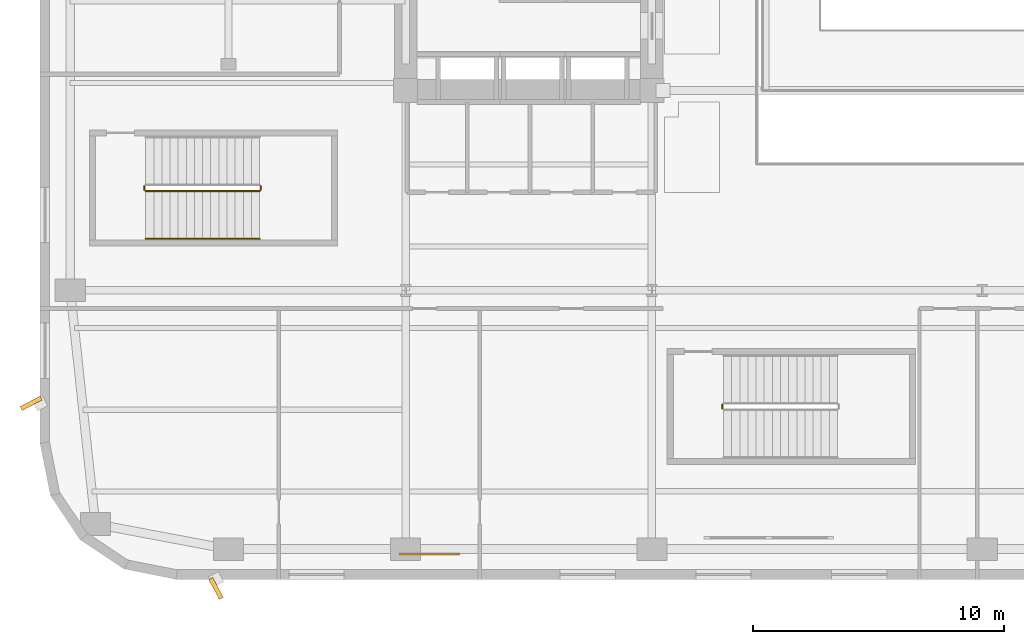
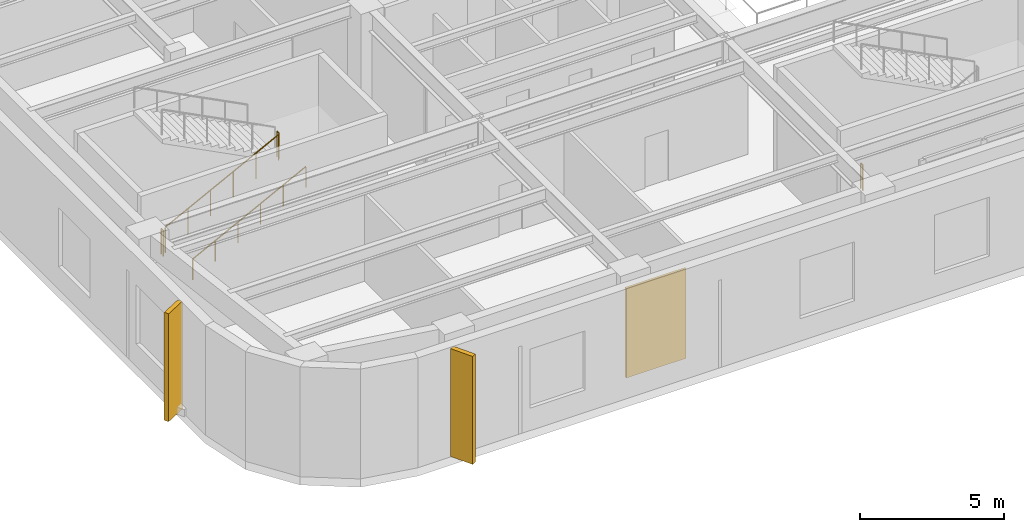
# One storey, part 13 of 22: 5 railings, 2 shading devices, 1 covering.
"""IFC4 building model written with IfcOpenShell, lengths in metres."""

import ifcopenshell
import ifcopenshell.guid

model = None  # the IFC model being written
_history = None  # IfcOwnerHistory: only IFC2X3 demands one
_inside = {}  # id of a spatial element -> (the spatial element, [elements in it])
_under = {}  # id of a project, library or spatial element -> (it, [spatial elements below it])
_declared = {}  # id of a project -> (the project, [libraries it declares])
_typed = {}  # id of a type object -> (the type object, [elements of that type])
_made_of = {}  # id of a material, layer set ... -> (it, [elements and type objects made of it])


def new_model(schema):
    """Start an empty IFC model of exactly this schema.

    Asked for "IFC4X3", IfcOpenShell would pick the latest addendum, in which some entities
    have other attributes; the version numbers below select the first issue.
    IFC2X3 requires an IfcOwnerHistory on every rooted entity: one is made here for all.
    """
    global model, _history
    if schema == "IFC4X3":
        model = ifcopenshell.file(schema_version=(4, 3, 0, 0))
    else:
        model = ifcopenshell.file(schema=schema)
    _inside.clear()
    _under.clear()
    _declared.clear()
    _typed.clear()
    _made_of.clear()
    _history = None
    if model.schema == "IFC2X3":
        org = make("IfcOrganization", Name="unknown")
        user = make(
            "IfcPersonAndOrganization",
            ThePerson=make("IfcPerson", FamilyName="unknown"),
            TheOrganization=org,
        )
        app = make(
            "IfcApplication",
            ApplicationDeveloper=org,
            Version="unknown",
            ApplicationFullName="unknown",
            ApplicationIdentifier="unknown",
        )
        _history = make(
            "IfcOwnerHistory",
            OwningUser=user,
            OwningApplication=app,
            ChangeAction="ADDED",
            CreationDate=0,
        )
    return model


def make(cls, **values):
    """One entity of the class cls with the attributes given. An attribute that is None is left unset."""
    return model.create_entity(
        cls, **{name: value for name, value in values.items() if value is not None}
    )


def rooted(cls, **values):
    """An entity with a GlobalId (a new one), such as an element, a storey or a relation."""
    return make(cls, GlobalId=ifcopenshell.guid.new(), OwnerHistory=_history, **values)


def si_unit(unit_type, name, prefix=None):
    """IfcSIUnit, for example si_unit("LENGTHUNIT", "METRE", prefix="MILLI")."""
    return make("IfcSIUnit", UnitType=unit_type, Prefix=prefix, Name=name)


def assignment(units):
    """IfcUnitAssignment: the units of a project."""
    return None if units is None else make("IfcUnitAssignment", Units=units)


def point(xyz):
    """IfcCartesianPoint."""
    return None if xyz is None else make("IfcCartesianPoint", Coordinates=xyz)


def direction(xyz):
    """IfcDirection."""
    return None if xyz is None else make("IfcDirection", DirectionRatios=xyz)


def frame(location, z_axis=None, x_axis=None):
    """IfcAxis2Placement3D, a coordinate frame: its origin and axes. An axis left out is left unset."""
    return make(
        "IfcAxis2Placement3D",
        Location=point(location),
        Axis=direction(z_axis),
        RefDirection=direction(x_axis),
    )


def frame_2d(location, x_axis=None):
    """IfcAxis2Placement2D, a coordinate frame in the plane: its origin and x axis."""
    return make(
        "IfcAxis2Placement2D", Location=point(location), RefDirection=direction(x_axis)
    )


def origin():
    """The frame at (0, 0, 0) with its axes left unset."""
    return frame((0.0, 0.0, 0.0))


def origin_2d():
    """The frame at (0, 0) in the plane with its x axis left unset."""
    return frame_2d((0.0, 0.0))


def place(relative_to, where):
    """IfcLocalPlacement: puts the frame where relative to a parent placement (None: the world)."""
    return make(
        "IfcLocalPlacement", PlacementRelTo=relative_to, RelativePlacement=where
    )


def context(
    kind, dimensions, precision=None, world=None, true_north=None, identifier=None
):
    """IfcGeometricRepresentationContext, for example the 3D "Model" context."""
    return make(
        "IfcGeometricRepresentationContext",
        ContextIdentifier=identifier,
        ContextType=kind,
        CoordinateSpaceDimension=dimensions,
        Precision=precision,
        WorldCoordinateSystem=world,
        TrueNorth=true_north,
    )


def subcontext(parent, identifier, kind, view, scale=None):
    """IfcGeometricRepresentationSubContext, for example "Body" below "Model"."""
    return make(
        "IfcGeometricRepresentationSubContext",
        ContextIdentifier=identifier,
        ContextType=kind,
        ParentContext=parent,
        TargetScale=scale,
        TargetView=view,
    )


def project(units=None, contexts=None):
    """IfcProject with its units and contexts."""
    return rooted(
        "IfcProject",
        Name="project",
        RepresentationContexts=contexts,
        UnitsInContext=assignment(units),
    )


def spatial(cls, under=None, at=None, **own):
    """A site, building, storey or space (cls), placed at a placement, below another one or the project."""
    s = rooted(cls, ObjectPlacement=at, **own)
    if under is not None:
        _under.setdefault(under.id(), (under, []))[1].append(s)
    return s


def profile(cls, at=None, kind="AREA", **sizes):
    """A parametric profile (cls). Its sizes go by their IFC names, for example OverallWidth=200.0."""
    return make(cls, ProfileType=kind, Position=at, **sizes)


def rectangle(**sizes):
    """IfcRectangleProfileDef."""
    return profile("IfcRectangleProfileDef", **sizes)


def circle(**sizes):
    """IfcCircleProfileDef."""
    return profile("IfcCircleProfileDef", **sizes)


def extrude(swept, where, along, depth):
    """IfcExtrudedAreaSolid: the profile swept, set in the frame where, extruded along a direction by depth."""
    return make(
        "IfcExtrudedAreaSolid",
        SweptArea=swept,
        Position=where,
        ExtrudedDirection=direction(along),
        Depth=depth,
    )


def shape(context_of_items, identifier, shape_type, items):
    """IfcShapeRepresentation: the items that make up one representation, for example the "Body"."""
    return make(
        "IfcShapeRepresentation",
        ContextOfItems=context_of_items,
        RepresentationIdentifier=identifier,
        RepresentationType=shape_type,
        Items=items,
    )


def material(Name=None, Category=None):
    """IfcMaterial."""
    return make("IfcMaterial", Name=Name, Category=Category)


def layer(
    of_material, thickness, ventilated=None, Name=None, Category=None, Priority=None
):
    """IfcMaterialLayer: one layer of a wall or slab, of a material (None: an air gap)."""
    return make(
        "IfcMaterialLayer",
        Material=of_material,
        LayerThickness=thickness,
        IsVentilated=ventilated,
        Name=Name,
        Category=Category,
        Priority=Priority,
    )


def layer_set(layers, Name=None):
    """IfcMaterialLayerSet."""
    return make("IfcMaterialLayerSet", MaterialLayers=layers, LayerSetName=Name)


def made_of(thing, what):
    """Note that an element or type object is made of a material, layer set ...; save() writes the relation."""
    if what is not None:
        _made_of.setdefault(what.id(), (what, []))[1].append(thing)
    return thing


def type_object(cls, material=None, **own):
    """A type object (cls), such as IfcWallType, which elements share."""
    return made_of(rooted(cls, **own), material)


def element(
    cls,
    number,
    at=None,
    inside=None,
    cuts=None,
    type_object=None,
    material=None,
    context=None,
    identifier="Body",
    shape_type=None,
    held_by="IfcProductDefinitionShape",
    body=None,
    shapes=None,
    **own,
):
    """One element of the class cls, such as IfcWall. Its Tag is "e" and its number.

    at: its placement. inside: the storey or other place that contains it. cuts: it is an
    opening in that element (IfcRelVoidsElement). A single representation is given by context,
    identifier, shape_type and body (its items); several are given by shapes. held_by: the class
    of the entity that holds the representations. save() writes the other relations.
    """
    e = rooted(cls, Tag="e%d" % number, ObjectPlacement=at, **own)
    if body is not None:
        shapes = [shape(context, identifier, shape_type, body)]
    if shapes is not None:
        e.Representation = make(held_by, Representations=shapes)
    if inside is not None:
        _inside.setdefault(inside.id(), (inside, []))[1].append(e)
    if cuts is not None:
        rooted(
            "IfcRelVoidsElement", RelatingBuildingElement=cuts, RelatedOpeningElement=e
        )
    if type_object is not None:
        _typed.setdefault(type_object.id(), (type_object, []))[1].append(e)
    return made_of(e, material)


def aggregate(whole, parts):
    """IfcRelAggregates: a whole, such as a stair, and the parts it consists of."""
    return rooted("IfcRelAggregates", RelatingObject=whole, RelatedObjects=parts)


def save(model, path):
    """Write the relations noted so far, then the file.

    IfcRelAggregates (storeys below a building ...), IfcRelContainedInSpatialStructure (elements
    in a storey), IfcRelDefinesByType, IfcRelAssociatesMaterial and IfcRelDeclares: one each for
    every whole, place, type object, material and project.
    """
    for whole, parts in _under.values():
        aggregate(whole, parts)
    for where, things in _inside.values():
        rooted(
            "IfcRelContainedInSpatialStructure",
            RelatedElements=things,
            RelatingStructure=where,
        )
    for kind, things in _typed.values():
        rooted("IfcRelDefinesByType", RelatedObjects=things, RelatingType=kind)
    for what, things in _made_of.values():
        rooted("IfcRelAssociatesMaterial", RelatedObjects=things, RelatingMaterial=what)
    for by, libraries in _declared.values():
        rooted("IfcRelDeclares", RelatingContext=by, RelatedDefinitions=libraries)
    model.write(path)


model = new_model("IFC4")

# Units and contexts
model_context = context("Model", 3, precision=1e-05, world=origin(), true_north=direction((0.0, 1.0)))
body_context = subcontext(model_context, "Body", "Model", "MODEL_VIEW")
ifc_project = project(units=[si_unit("LENGTHUNIT", "METRE"), si_unit("AREAUNIT", "SQUARE_METRE"), si_unit("VOLUMEUNIT", "CUBIC_METRE"), si_unit("PLANEANGLEUNIT", "RADIAN"), si_unit("MASSUNIT", "GRAM", prefix="KILO")], contexts=[model_context])

# Site, building, storey
site_placement = place(None, origin())
site = spatial("IfcSite", under=ifc_project, at=site_placement, CompositionType="ELEMENT")
building_placement = place(site_placement, origin())
building = spatial("IfcBuilding", under=site, at=building_placement, Name="Kolvaren Arena Tower", CompositionType="ELEMENT")
storey_placement = place(building_placement, frame((0.0, 0.0, 13.0)))
storey = spatial("IfcBuildingStorey", under=building, at=storey_placement, Name="L02", CompositionType="ELEMENT", Elevation=13.0)

# Covering
ifc_material_1 = material(Name="Reconstituted Ontario limestone cladding panel", Category="masonry")
ifc_layer = layer(ifc_material_1, 0.0849609375)
ifc_layer_set = layer_set([ifc_layer], Name="Reconstituted Ontario limestone cladding panel")
covering_type = type_object("IfcCoveringType", Name="CLAD-PRC-1", PredefinedType="CLADDING", material=ifc_layer_set)
covering_placement = place(storey_placement, frame((15.5, 1.0, 0.10009765625), z_axis=(0.0, 0.0, 1.0), x_axis=(1.0, 0.0, 0.0)))
element("IfcCovering", 1, at=covering_placement, inside=storey, type_object=covering_type, Name="Limestone Spandrel Cladding Panel 3 (L02)", PredefinedType="CLADDING", context=body_context, shape_type="SweptSolid", body=[
    extrude(rectangle(XDim=2.39990234375, YDim=0.0849609375, at=origin_2d()), origin(), (0.0, 0.0, 1.0), 3.800048828125),
])

# Railings
ifc_material_2 = material(Name="Painted galvanized steel", Category="steel")
railing_type_1 = type_object("IfcRailingType", Name="GUARD-ST-110", PredefinedType="GUARDRAIL", material=ifc_material_2)
railing_1_placement = place(storey_placement, frame((4.199951171875, 15.449951171875, 0.166748046875)))
element("IfcRailing", 2, at=railing_1_placement, inside=storey, type_object=railing_type_1, Name="L02 ST-A1 stair guard 1", PredefinedType="GUARDRAIL", context=body_context, shape_type="SweptSolid", body=[
    extrude(circle(Radius=0.02392578125, at=origin_2d()), frame((0.0, 0.0, 1.076171875), z_axis=(0.889257211316, 0.0, 0.457407490234), x_axis=(0.0, 1.0, 0.0)), (0.0, 0.0, 1.0), 5.10107421875),
    extrude(circle(Radius=0.02099609375, at=origin_2d()), origin(), (0.0, 0.0, 1.0), 1.052001953125),
    extrude(circle(Radius=0.02099609375, at=origin_2d()), frame((0.9072265625, 0.0, 0.466552734375)), (0.0, 0.0, 1.0), 1.052001953125),
    extrude(circle(Radius=0.02099609375, at=origin_2d()), frame((1.814453125, 0.0, 0.933349609375)), (0.0, 0.0, 1.0), 1.052001953125),
    extrude(circle(Radius=0.02099609375, at=origin_2d()), frame((2.7216796875, 0.0, 1.39990234375)), (0.0, 0.0, 1.0), 1.052001953125),
    extrude(circle(Radius=0.02099609375, at=origin_2d()), frame((3.62890625, 0.0, 1.86669921875)), (0.0, 0.0, 1.0), 1.052001953125),
    extrude(circle(Radius=0.02099609375, at=origin_2d()), frame((4.5361328125, 0.0, 2.333251953125)), (0.0, 0.0, 1.0), 1.052001953125),
])
for number, where, name in (
    (3, (8.785888671875, 15.5, 2.5), "L02 ST-A1 stair guard 2"),
    (4, (4.14990234375, 15.5, 0.0), "L02 ST-A1 stair guard 4"),
    (5, (27.14990234375, 6.800048828125, 0.0), "L02 ST-A2 stair guard 4"),
):
    element("IfcRailing", number, at=place(storey_placement, frame(where)), inside=storey, type_object=railing_type_1, Name=name, PredefinedType="GUARDRAIL", context=body_context, shape_type="SweptSolid", body=[
        extrude(circle(Radius=0.02392578125, at=origin_2d()), frame((0.0, 0.0, 1.076171875), z_axis=(0.0, 1.0, 0.0), x_axis=(-1.0, 0.0, 0.0)), (0.0, 0.0, 1.0), 0.14990234375),
        extrude(circle(Radius=0.02099609375, at=origin_2d()), origin(), (0.0, 0.0, 1.0), 1.052001953125),
        extrude(circle(Radius=0.02099609375, at=origin_2d()), frame((0.0, 0.14990234375, 0.0)), (0.0, 0.0, 1.0), 1.052001953125),
    ])
ifc_material_3 = material(Name="Brushed stainless steel handrail", Category="steel")
railing_type_2 = type_object("IfcRailingType", Name="HRAIL-900", PredefinedType="HANDRAIL", material=ifc_material_3)
railing_2_placement = place(storey_placement, frame((4.199951171875, 13.550048828125, 0.166748046875)))
element("IfcRailing", 6, at=railing_2_placement, inside=storey, type_object=railing_type_2, Name="L02 ST-A1 stair handrail 1", PredefinedType="HANDRAIL", context=body_context, shape_type="SweptSolid", body=[
    extrude(circle(Radius=0.02392578125, at=origin_2d()), frame((0.0, 0.0, 0.8759765625), z_axis=(0.889257211316, 0.0, 0.457407490234), x_axis=(0.0, 1.0, 0.0)), (0.0, 0.0, 1.0), 5.10107421875),
    extrude(circle(Radius=0.02099609375, at=origin_2d()), origin(), (0.0, 0.0, 1.0), 0.851806640625),
    extrude(circle(Radius=0.02099609375, at=origin_2d()), frame((0.9072265625, 0.0, 0.466552734375)), (0.0, 0.0, 1.0), 0.851806640625),
    extrude(circle(Radius=0.02099609375, at=origin_2d()), frame((1.814453125, 0.0, 0.933349609375)), (0.0, 0.0, 1.0), 0.851806640625),
    extrude(circle(Radius=0.02099609375, at=origin_2d()), frame((2.7216796875, 0.0, 1.39990234375)), (0.0, 0.0, 1.0), 0.851806640625),
    extrude(circle(Radius=0.02099609375, at=origin_2d()), frame((3.62890625, 0.0, 1.86669921875)), (0.0, 0.0, 1.0), 0.851806640625),
    extrude(circle(Radius=0.02099609375, at=origin_2d()), frame((4.5361328125, 0.0, 2.333251953125)), (0.0, 0.0, 1.0), 0.851806640625),
])

# Shading devices
ifc_material_4 = material(Name="Precast architectural concrete C50/60 rib fin", Category="concrete")
shading_device_type = type_object("IfcShadingDeviceType", Name="SHAD-FIN-28", PredefinedType="USERDEFINED", material=ifc_material_4)
for number, where, z_axis, x_axis, name in (
    (7, (-0.360107421875, 7.0, 0.02001953125), (0.0, 0.0, 1.0), (-0.882947592859, -0.469471562786, 0.0), "Arena Podium 28-Deg Precast Fin (L02)"),
    (8, (7.0, -0.360107421875, 0.02001953125), (0.0, 0.0, 1.0), (0.469471562786, -0.882947592859, 0.0), "Arena Podium 28-Deg Precast Fin (L02)"),
):
    element("IfcShadingDevice", number, at=place(storey_placement, frame(where, z_axis=z_axis, x_axis=x_axis)), inside=storey, type_object=shading_device_type, Name=name, ObjectType="FIN", PredefinedType="USERDEFINED", context=body_context, shape_type="SweptSolid", body=[
        extrude(rectangle(XDim=0.89990234375, YDim=0.179931640625, at=origin_2d()), origin(), (0.0, 0.0, 1.0), 4.570068359375),
    ])

save(model, "model.ifc")
